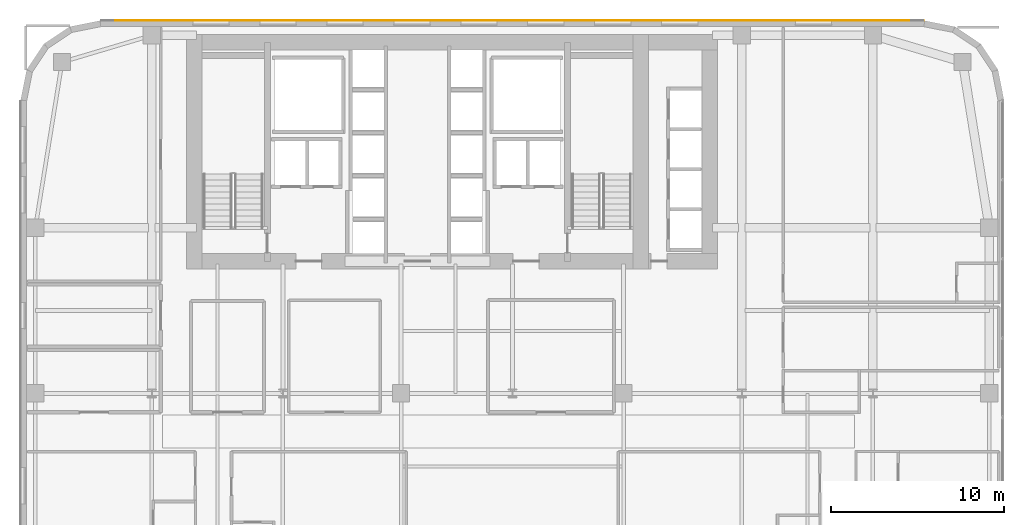
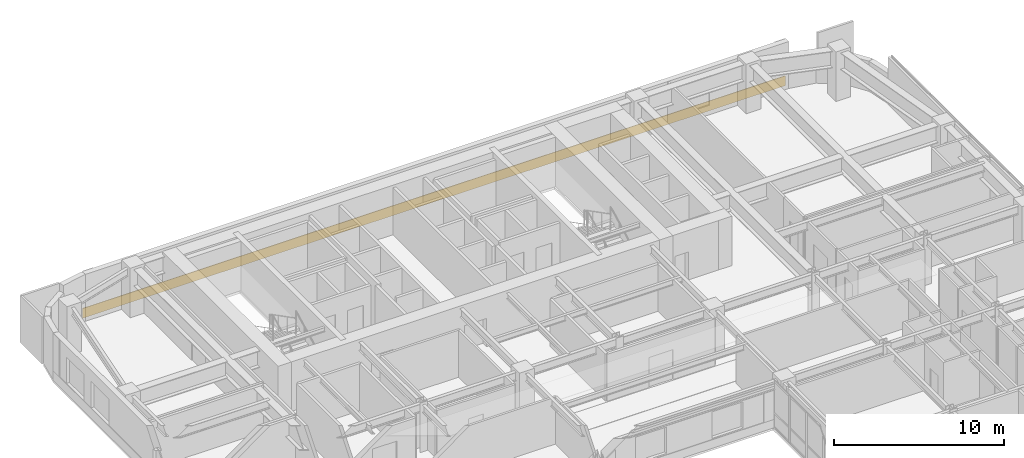
# One storey, part 30 of 31: 1 covering.
"""IFC4 building model written with IfcOpenShell, lengths in metres."""

from ifc_helpers import new_model, si_unit, direction, frame, origin, place, context, subcontext, project, spatial, polyline, outline, extrude, material, layer, layer_set, type_object, element, save


model = new_model("IFC4")

# Units and contexts
model_context = context("Model", 3, precision=1e-05, world=origin(), true_north=direction((0.0, 1.0)))
body_context = subcontext(model_context, "Body", "Model", "MODEL_VIEW")
ifc_project = project(units=[si_unit("LENGTHUNIT", "METRE"), si_unit("AREAUNIT", "SQUARE_METRE"), si_unit("VOLUMEUNIT", "CUBIC_METRE"), si_unit("PLANEANGLEUNIT", "RADIAN"), si_unit("MASSUNIT", "GRAM", prefix="KILO")], contexts=[model_context])

# Site, building, storey
site_placement = place(None, origin())
site = spatial("IfcSite", under=ifc_project, at=site_placement, CompositionType="ELEMENT")
building_placement = place(site_placement, origin())
building = spatial("IfcBuilding", under=site, at=building_placement, Name="Tolvann Quenvar Hotel", CompositionType="ELEMENT")
storey_placement = place(building_placement, frame((0.0, 0.0, 74.60009765625)))
storey = spatial("IfcBuildingStorey", under=building, at=storey_placement, Name="L18", CompositionType="ELEMENT", Elevation=74.60009765625)

# Covering
ifc_material = material(Name="Moulded buff architectural terracotta spandrel cladding", Category="masonry")
ifc_layer = layer(ifc_material, 0.0400390625)
ifc_layer_set = layer_set([ifc_layer], Name="Moulded buff architectural terracotta spandrel cladding")
covering_type = type_object("IfcCoveringType", Name="COV_CLAD_TERRA_40", PredefinedType="CLADDING", material=ifc_layer_set)
covering_placement = place(storey_placement, origin())
element("IfcCovering", 1, at=covering_placement, inside=storey, type_object=covering_type, Name="Terracotta Spandrel Cladding (L18-E18)", PredefinedType="CLADDING", context=body_context, shape_type="SweptSolid", body=[
    extrude(outline(polyline([(52.3427734375, 46.0), (4.6572265625, 46.0), (4.6572265625, 46.0400390625), (52.3427734375, 46.0400390625), (52.3427734375, 46.0)])), origin(), (0.0, 0.0, 1.0), 0.699951171875),
])

save(model, "model.ifc")
